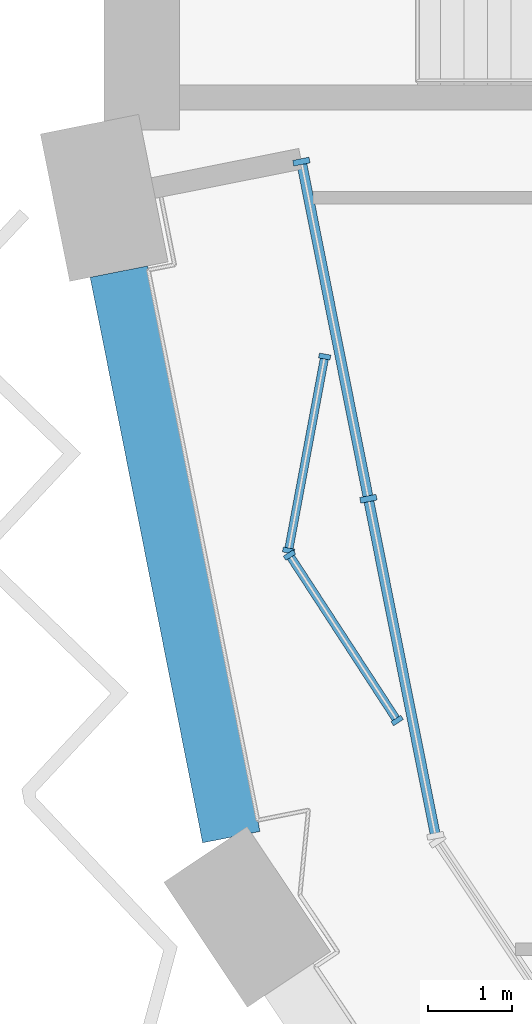
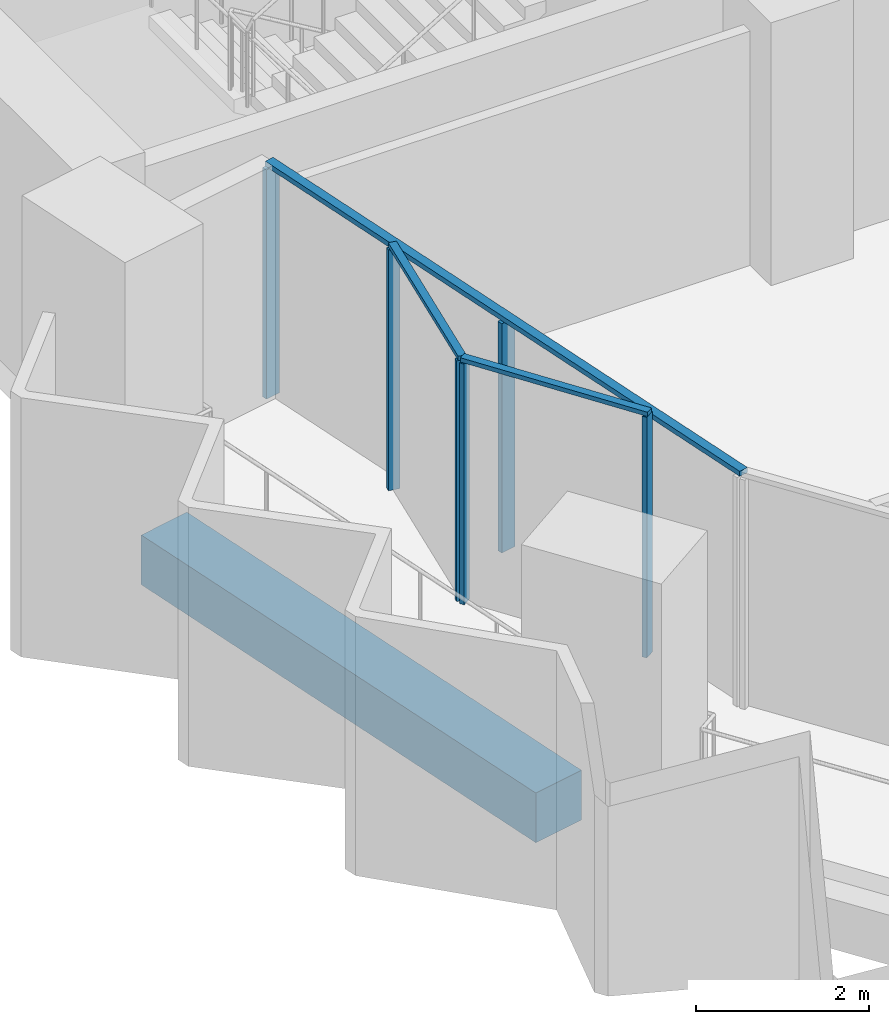
# One storey, part 3 of 19: 9 members, 1 beam, 3 elements without a shape of their own.
"""IFC4 building model written with IfcOpenShell, lengths in metres."""

import ifcopenshell
import ifcopenshell.guid

model = None  # the IFC model being written
_history = None  # IfcOwnerHistory: only IFC2X3 demands one
_inside = {}  # id of a spatial element -> (the spatial element, [elements in it])
_under = {}  # id of a project, library or spatial element -> (it, [spatial elements below it])
_declared = {}  # id of a project -> (the project, [libraries it declares])
_typed = {}  # id of a type object -> (the type object, [elements of that type])
_made_of = {}  # id of a material, layer set ... -> (it, [elements and type objects made of it])


def new_model(schema):
    """Start an empty IFC model of exactly this schema.

    Asked for "IFC4X3", IfcOpenShell would pick the latest addendum, in which some entities
    have other attributes; the version numbers below select the first issue.
    IFC2X3 requires an IfcOwnerHistory on every rooted entity: one is made here for all.
    """
    global model, _history
    if schema == "IFC4X3":
        model = ifcopenshell.file(schema_version=(4, 3, 0, 0))
    else:
        model = ifcopenshell.file(schema=schema)
    _inside.clear()
    _under.clear()
    _declared.clear()
    _typed.clear()
    _made_of.clear()
    _history = None
    if model.schema == "IFC2X3":
        org = make("IfcOrganization", Name="unknown")
        user = make(
            "IfcPersonAndOrganization",
            ThePerson=make("IfcPerson", FamilyName="unknown"),
            TheOrganization=org,
        )
        app = make(
            "IfcApplication",
            ApplicationDeveloper=org,
            Version="unknown",
            ApplicationFullName="unknown",
            ApplicationIdentifier="unknown",
        )
        _history = make(
            "IfcOwnerHistory",
            OwningUser=user,
            OwningApplication=app,
            ChangeAction="ADDED",
            CreationDate=0,
        )
    return model


def make(cls, **values):
    """One entity of the class cls with the attributes given. An attribute that is None is left unset."""
    return model.create_entity(
        cls, **{name: value for name, value in values.items() if value is not None}
    )


def rooted(cls, **values):
    """An entity with a GlobalId (a new one), such as an element, a storey or a relation."""
    return make(cls, GlobalId=ifcopenshell.guid.new(), OwnerHistory=_history, **values)


def si_unit(unit_type, name, prefix=None):
    """IfcSIUnit, for example si_unit("LENGTHUNIT", "METRE", prefix="MILLI")."""
    return make("IfcSIUnit", UnitType=unit_type, Prefix=prefix, Name=name)


def assignment(units):
    """IfcUnitAssignment: the units of a project."""
    return None if units is None else make("IfcUnitAssignment", Units=units)


def point(xyz):
    """IfcCartesianPoint."""
    return None if xyz is None else make("IfcCartesianPoint", Coordinates=xyz)


def direction(xyz):
    """IfcDirection."""
    return None if xyz is None else make("IfcDirection", DirectionRatios=xyz)


def frame(location, z_axis=None, x_axis=None):
    """IfcAxis2Placement3D, a coordinate frame: its origin and axes. An axis left out is left unset."""
    return make(
        "IfcAxis2Placement3D",
        Location=point(location),
        Axis=direction(z_axis),
        RefDirection=direction(x_axis),
    )


def frame_2d(location, x_axis=None):
    """IfcAxis2Placement2D, a coordinate frame in the plane: its origin and x axis."""
    return make(
        "IfcAxis2Placement2D", Location=point(location), RefDirection=direction(x_axis)
    )


def origin():
    """The frame at (0, 0, 0) with its axes left unset."""
    return frame((0.0, 0.0, 0.0))


def origin_2d():
    """The frame at (0, 0) in the plane with its x axis left unset."""
    return frame_2d((0.0, 0.0))


def place(relative_to, where):
    """IfcLocalPlacement: puts the frame where relative to a parent placement (None: the world)."""
    return make(
        "IfcLocalPlacement", PlacementRelTo=relative_to, RelativePlacement=where
    )


def context(
    kind, dimensions, precision=None, world=None, true_north=None, identifier=None
):
    """IfcGeometricRepresentationContext, for example the 3D "Model" context."""
    return make(
        "IfcGeometricRepresentationContext",
        ContextIdentifier=identifier,
        ContextType=kind,
        CoordinateSpaceDimension=dimensions,
        Precision=precision,
        WorldCoordinateSystem=world,
        TrueNorth=true_north,
    )


def subcontext(parent, identifier, kind, view, scale=None):
    """IfcGeometricRepresentationSubContext, for example "Body" below "Model"."""
    return make(
        "IfcGeometricRepresentationSubContext",
        ContextIdentifier=identifier,
        ContextType=kind,
        ParentContext=parent,
        TargetScale=scale,
        TargetView=view,
    )


def project(units=None, contexts=None):
    """IfcProject with its units and contexts."""
    return rooted(
        "IfcProject",
        Name="project",
        RepresentationContexts=contexts,
        UnitsInContext=assignment(units),
    )


def spatial(cls, under=None, at=None, **own):
    """A site, building, storey or space (cls), placed at a placement, below another one or the project."""
    s = rooted(cls, ObjectPlacement=at, **own)
    if under is not None:
        _under.setdefault(under.id(), (under, []))[1].append(s)
    return s


def profile(cls, at=None, kind="AREA", **sizes):
    """A parametric profile (cls). Its sizes go by their IFC names, for example OverallWidth=200.0."""
    return make(cls, ProfileType=kind, Position=at, **sizes)


def rectangle(**sizes):
    """IfcRectangleProfileDef."""
    return profile("IfcRectangleProfileDef", **sizes)


def extrude(swept, where, along, depth):
    """IfcExtrudedAreaSolid: the profile swept, set in the frame where, extruded along a direction by depth."""
    return make(
        "IfcExtrudedAreaSolid",
        SweptArea=swept,
        Position=where,
        ExtrudedDirection=direction(along),
        Depth=depth,
    )


def shape(context_of_items, identifier, shape_type, items):
    """IfcShapeRepresentation: the items that make up one representation, for example the "Body"."""
    return make(
        "IfcShapeRepresentation",
        ContextOfItems=context_of_items,
        RepresentationIdentifier=identifier,
        RepresentationType=shape_type,
        Items=items,
    )


def material(Name=None, Category=None):
    """IfcMaterial."""
    return make("IfcMaterial", Name=Name, Category=Category)


def material_profile(
    of_material, cross_section, Name=None, Category=None, Priority=None
):
    """IfcMaterialProfile: a cross section and its material."""
    return make(
        "IfcMaterialProfile",
        Name=Name,
        Material=of_material,
        Profile=cross_section,
        Priority=Priority,
        Category=Category,
    )


def profile_set(profiles, Name=None, composite=None):
    """IfcMaterialProfileSet."""
    return make(
        "IfcMaterialProfileSet",
        Name=Name,
        MaterialProfiles=profiles,
        CompositeProfile=composite,
    )


def made_of(thing, what):
    """Note that an element or type object is made of a material, layer set ...; save() writes the relation."""
    if what is not None:
        _made_of.setdefault(what.id(), (what, []))[1].append(thing)
    return thing


def type_object(cls, material=None, **own):
    """A type object (cls), such as IfcWallType, which elements share."""
    return made_of(rooted(cls, **own), material)


def element(
    cls,
    number,
    at=None,
    inside=None,
    cuts=None,
    type_object=None,
    material=None,
    context=None,
    identifier="Body",
    shape_type=None,
    held_by="IfcProductDefinitionShape",
    body=None,
    shapes=None,
    **own,
):
    """One element of the class cls, such as IfcWall. Its Tag is "e" and its number.

    at: its placement. inside: the storey or other place that contains it. cuts: it is an
    opening in that element (IfcRelVoidsElement). A single representation is given by context,
    identifier, shape_type and body (its items); several are given by shapes. held_by: the class
    of the entity that holds the representations. save() writes the other relations.
    """
    e = rooted(cls, Tag="e%d" % number, ObjectPlacement=at, **own)
    if body is not None:
        shapes = [shape(context, identifier, shape_type, body)]
    if shapes is not None:
        e.Representation = make(held_by, Representations=shapes)
    if inside is not None:
        _inside.setdefault(inside.id(), (inside, []))[1].append(e)
    if cuts is not None:
        rooted(
            "IfcRelVoidsElement", RelatingBuildingElement=cuts, RelatedOpeningElement=e
        )
    if type_object is not None:
        _typed.setdefault(type_object.id(), (type_object, []))[1].append(e)
    return made_of(e, material)


def aggregate(whole, parts):
    """IfcRelAggregates: a whole, such as a stair, and the parts it consists of."""
    return rooted("IfcRelAggregates", RelatingObject=whole, RelatedObjects=parts)


def save(model, path):
    """Write the relations noted so far, then the file.

    IfcRelAggregates (storeys below a building ...), IfcRelContainedInSpatialStructure (elements
    in a storey), IfcRelDefinesByType, IfcRelAssociatesMaterial and IfcRelDeclares: one each for
    every whole, place, type object, material and project.
    """
    for whole, parts in _under.values():
        aggregate(whole, parts)
    for where, things in _inside.values():
        rooted(
            "IfcRelContainedInSpatialStructure",
            RelatedElements=things,
            RelatingStructure=where,
        )
    for kind, things in _typed.values():
        rooted("IfcRelDefinesByType", RelatedObjects=things, RelatingType=kind)
    for what, things in _made_of.values():
        rooted("IfcRelAssociatesMaterial", RelatedObjects=things, RelatingMaterial=what)
    for by, libraries in _declared.values():
        rooted("IfcRelDeclares", RelatingContext=by, RelatedDefinitions=libraries)
    model.write(path)


model = new_model("IFC4")

# Units and contexts
model_context = context("Model", 3, precision=1e-05, world=origin(), true_north=direction((0.0, 1.0)))
body_context = subcontext(model_context, "Body", "Model", "MODEL_VIEW")
ifc_project = project(units=[si_unit("LENGTHUNIT", "METRE"), si_unit("AREAUNIT", "SQUARE_METRE"), si_unit("VOLUMEUNIT", "CUBIC_METRE"), si_unit("PLANEANGLEUNIT", "RADIAN"), si_unit("MASSUNIT", "GRAM", prefix="KILO")], contexts=[model_context])

# Site, building, storey
site_placement = place(None, origin())
site = spatial("IfcSite", under=ifc_project, at=site_placement, CompositionType="ELEMENT")
building_placement = place(site_placement, origin())
building = spatial("IfcBuilding", under=site, at=building_placement, Name="Hunhe Ridgeline Campus", CompositionType="ELEMENT")
storey_placement = place(building_placement, frame((0.0, 0.0, 219.800048828125)))
storey = spatial("IfcBuildingStorey", under=building, at=storey_placement, Name="L56", CompositionType="ELEMENT", Elevation=219.800048828125)

# Curtain wall, members
ifc_material_1 = material(Name="Aluminium 6063", Category="aluminium")
curtain_wall_type_1 = type_object("IfcCurtainWallType", Name="Curtain wall CW-2", PredefinedType="NOTDEFINED", material=ifc_material_1)
curtain_wall_1_placement = place(storey_placement, origin())
curtain_wall_1 = element("IfcCurtainWall", 1, at=curtain_wall_1_placement, inside=storey, type_object=curtain_wall_type_1, Name="Curtain wall B01a", PredefinedType="NOTDEFINED")
ifc_material_profile_1 = material_profile(ifc_material_1, rectangle(XDim=0.139892578125, YDim=0.06005859375, at=origin_2d()))
ifc_profile_set_1 = profile_set([ifc_material_profile_1], Name="Aluminium 6063")
member_type_1 = type_object("IfcMemberType", Name="CW-2 aluminium mullion", PredefinedType="MULLION", material=ifc_profile_set_1)
member_1_placement = place(storey_placement, frame((2.64111328125, 34.100341796875, 0.0), z_axis=(0.0, 0.0, 1.0), x_axis=(0.983091954213, -0.183112559813, 0.0)))
member_1 = element("IfcMember", 2, at=member_1_placement, type_object=member_type_1, Name="CW-2 mullion 1", PredefinedType="MULLION", context=body_context, shape_type="SweptSolid", body=[
    extrude(rectangle(XDim=0.139892578125, YDim=0.06005859375, at=origin_2d()), origin(), (0.0, 0.0, 1.0), 3.389892578125),
])
member_2_placement = place(storey_placement, frame((2.20849609375, 31.77685546875, 0.0), z_axis=(0.0, 0.0, 1.0), x_axis=(0.983091954213, -0.183112559813, 0.0)))
member_2 = element("IfcMember", 3, at=member_2_placement, type_object=member_type_1, Name="CW-2 mullion 2", PredefinedType="MULLION", context=body_context, shape_type="SweptSolid", body=[
    extrude(rectangle(XDim=0.139892578125, YDim=0.06005859375, at=origin_2d()), origin(), (0.0, 0.0, 1.0), 3.389892578125),
])

curtain_wall_2_placement = place(storey_placement, origin())
curtain_wall_2 = element("IfcCurtainWall", 4, at=curtain_wall_2_placement, inside=storey, type_object=curtain_wall_type_1, Name="Curtain wall B01b", PredefinedType="NOTDEFINED")
member_3_placement = place(storey_placement, frame((2.21923828125, 31.722412109375, 0.0), z_axis=(0.0, 0.0, 1.0), x_axis=(0.838178845176, 0.545395474403, 0.0)))
member_3 = element("IfcMember", 5, at=member_3_placement, type_object=member_type_1, Name="CW-2 mullion 1", PredefinedType="MULLION", context=body_context, shape_type="SweptSolid", body=[
    extrude(rectangle(XDim=0.139892578125, YDim=0.06005859375, at=origin_2d()), origin(), (0.0, 0.0, 1.0), 3.389892578125),
])
member_4_placement = place(storey_placement, frame((3.50830078125, 29.741455078125, 0.0), z_axis=(0.0, 0.0, 1.0), x_axis=(0.838178845176, 0.545395474403, 0.0)))
member_4 = element("IfcMember", 6, at=member_4_placement, type_object=member_type_1, Name="CW-2 mullion 2", PredefinedType="MULLION", context=body_context, shape_type="SweptSolid", body=[
    extrude(rectangle(XDim=0.139892578125, YDim=0.06005859375, at=origin_2d()), origin(), (0.0, 0.0, 1.0), 3.389892578125),
])

# Member
ifc_material_profile_2 = material_profile(ifc_material_1, rectangle(XDim=0.10009765625, YDim=0.06005859375, at=origin_2d()))
ifc_profile_set_2 = profile_set([ifc_material_profile_2], Name="Aluminium 6063")
member_type_2 = type_object("IfcMemberType", Name="CW-2 aluminium transom", PredefinedType="USERDEFINED", material=ifc_profile_set_2)
member_5_placement = place(storey_placement, frame((2.646728515625, 34.1298828125, 3.419921875), z_axis=(-0.183157011524, -0.983083673514, 0.0), x_axis=(0.983083673514, -0.183157011524, 0.0)))
member_5 = element("IfcMember", 7, at=member_5_placement, type_object=member_type_2, Name="CW-2 transom 1", ObjectType="TRANSOM", PredefinedType="USERDEFINED", context=body_context, shape_type="SweptSolid", body=[
    extrude(rectangle(XDim=0.10009765625, YDim=0.06005859375, at=origin_2d()), origin(), (0.0, 0.0, 1.0), 2.42333984375),
])

aggregate(curtain_wall_1, [member_5, member_1, member_2])

member_6_placement = place(storey_placement, frame((2.202880859375, 31.74755859375, 3.419921875), z_axis=(0.54541319982, -0.838167311139, 0.0), x_axis=(0.838167311139, 0.54541319982, 0.0)))
member_6 = element("IfcMember", 8, at=member_6_placement, type_object=member_type_2, Name="CW-2 transom 1", ObjectType="TRANSOM", PredefinedType="USERDEFINED", context=body_context, shape_type="SweptSolid", body=[
    extrude(rectangle(XDim=0.10009765625, YDim=0.06005859375, at=origin_2d()), origin(), (0.0, 0.0, 1.0), 2.42333984375),
])

aggregate(curtain_wall_2, [member_6, member_3, member_4])

# Curtain wall, members
curtain_wall_type_2 = type_object("IfcCurtainWallType", Name="Curtain wall CW-5", PredefinedType="NOTDEFINED", material=ifc_material_1)
curtain_wall_3_placement = place(storey_placement, origin())
curtain_wall_3 = element("IfcCurtainWall", 9, at=curtain_wall_3_placement, inside=storey, type_object=curtain_wall_type_2, Name="Curtain wall 01", PredefinedType="NOTDEFINED")
ifc_material_profile_3 = material_profile(ifc_material_1, rectangle(XDim=0.199951171875, YDim=0.070068359375, at=origin_2d()))
ifc_profile_set_3 = profile_set([ifc_material_profile_3], Name="Aluminium 6063")
member_type_3 = type_object("IfcMemberType", Name="CW-5 aluminium mullion", PredefinedType="MULLION", material=ifc_profile_set_3)
member_7_placement = place(storey_placement, frame((2.361572265625, 36.434326171875, 0.0), z_axis=(0.0, 0.0, 1.0), x_axis=(0.980784280831, 0.195095347137, 0.0)))
member_7 = element("IfcMember", 10, at=member_7_placement, type_object=member_type_3, Name="CW-5 mullion 1", PredefinedType="MULLION", context=body_context, shape_type="SweptSolid", body=[
    extrude(rectangle(XDim=0.199951171875, YDim=0.070068359375, at=origin_2d()), origin(), (0.0, 0.0, 1.0), 3.22998046875),
])
member_8_placement = place(storey_placement, frame((3.16455078125, 32.3974609375, 0.0), z_axis=(0.0, 0.0, 1.0), x_axis=(0.980784280831, 0.195095347137, 0.0)))
member_8 = element("IfcMember", 11, at=member_8_placement, type_object=member_type_3, Name="CW-5 mullion 2", PredefinedType="MULLION", context=body_context, shape_type="SweptSolid", body=[
    extrude(rectangle(XDim=0.199951171875, YDim=0.070068359375, at=origin_2d()), origin(), (0.0, 0.0, 1.0), 3.22998046875),
])
ifc_material_profile_4 = material_profile(ifc_material_1, rectangle(XDim=0.1201171875, YDim=0.070068359375, at=origin_2d()))
ifc_profile_set_4 = profile_set([ifc_material_profile_4], Name="Aluminium 6063")
member_type_4 = type_object("IfcMemberType", Name="CW-5 aluminium transom", PredefinedType="USERDEFINED", material=ifc_profile_set_4)
member_9_placement = place(storey_placement, frame((2.354736328125, 36.46875, 3.264892578125), z_axis=(0.195092405068, -0.980784866056, 0.0), x_axis=(0.980784866056, 0.195092405068, 0.0)))
member_9 = element("IfcMember", 12, at=member_9_placement, type_object=member_type_4, Name="CW-5 transom 1", ObjectType="TRANSOM", PredefinedType="USERDEFINED", context=body_context, shape_type="SweptSolid", body=[
    extrude(rectangle(XDim=0.1201171875, YDim=0.070068359375, at=origin_2d()), origin(), (0.0, 0.0, 1.0), 8.3017578125),
])
aggregate(curtain_wall_3, [member_9, member_7, member_8])

# Beam
ifc_material_2 = material(Name="Concrete C50", Category="concrete")
ifc_material_profile_5 = material_profile(ifc_material_2, rectangle(XDim=0.699951171875, YDim=0.699951171875, at=origin_2d()))
ifc_profile_set_5 = profile_set([ifc_material_profile_5], Name="Concrete C50")
beam_type = type_object("IfcBeamType", Name="RC spandrel beam 700x700 Concrete C50", PredefinedType="SPANDREL", material=ifc_profile_set_5)
beam_placement = place(storey_placement, frame((0.175537109375, 35.1171875, -0.60009765625), z_axis=(0.195102900975, -0.980782778209, 0.0), x_axis=(0.980782778209, 0.195102900975, 0.0)))
element("IfcBeam", 13, at=beam_placement, inside=storey, type_object=beam_type, Name="Spandrel beam B3-1 L56", PredefinedType="SPANDREL", context=body_context, shape_type="SweptSolid", body=[
    extrude(rectangle(XDim=0.699951171875, YDim=0.699951171875, at=origin_2d()), origin(), (0.0, 0.0, 1.0), 6.905029296875),
])

save(model, "model.ifc")
